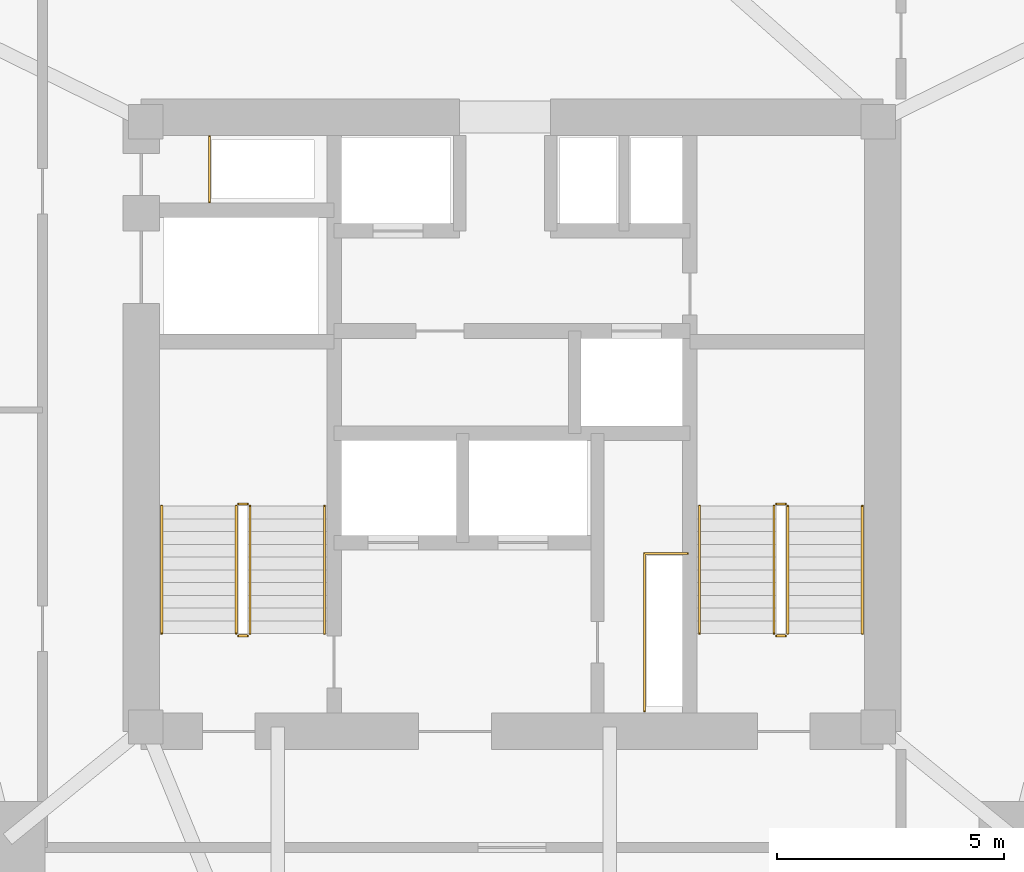
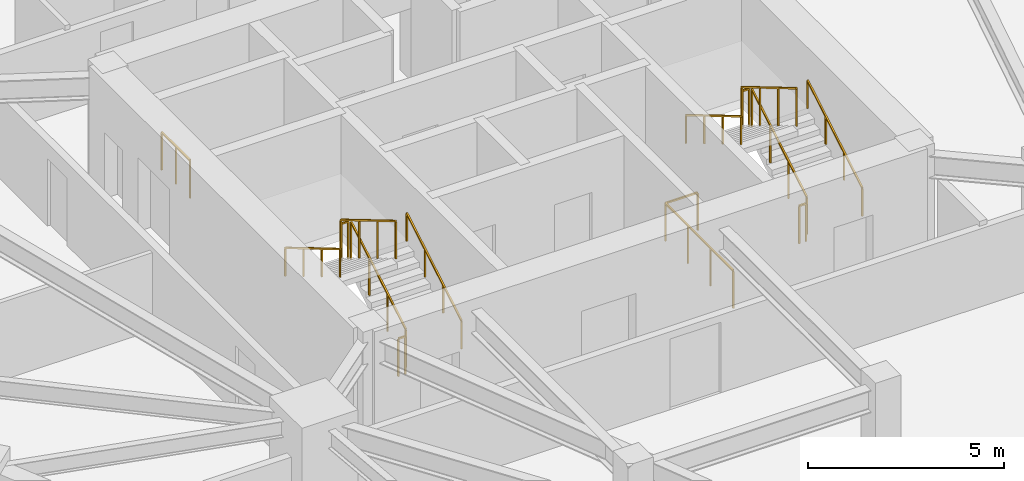
# One storey, part 14 of 14: 14 railings.
"""IFC4 building model written with IfcOpenShell, lengths in metres."""

import ifcopenshell
import ifcopenshell.guid

model = None  # the IFC model being written
_history = None  # IfcOwnerHistory: only IFC2X3 demands one
_inside = {}  # id of a spatial element -> (the spatial element, [elements in it])
_under = {}  # id of a project, library or spatial element -> (it, [spatial elements below it])
_declared = {}  # id of a project -> (the project, [libraries it declares])
_typed = {}  # id of a type object -> (the type object, [elements of that type])
_made_of = {}  # id of a material, layer set ... -> (it, [elements and type objects made of it])


def new_model(schema):
    """Start an empty IFC model of exactly this schema.

    Asked for "IFC4X3", IfcOpenShell would pick the latest addendum, in which some entities
    have other attributes; the version numbers below select the first issue.
    IFC2X3 requires an IfcOwnerHistory on every rooted entity: one is made here for all.
    """
    global model, _history
    if schema == "IFC4X3":
        model = ifcopenshell.file(schema_version=(4, 3, 0, 0))
    else:
        model = ifcopenshell.file(schema=schema)
    _inside.clear()
    _under.clear()
    _declared.clear()
    _typed.clear()
    _made_of.clear()
    _history = None
    if model.schema == "IFC2X3":
        org = make("IfcOrganization", Name="unknown")
        user = make(
            "IfcPersonAndOrganization",
            ThePerson=make("IfcPerson", FamilyName="unknown"),
            TheOrganization=org,
        )
        app = make(
            "IfcApplication",
            ApplicationDeveloper=org,
            Version="unknown",
            ApplicationFullName="unknown",
            ApplicationIdentifier="unknown",
        )
        _history = make(
            "IfcOwnerHistory",
            OwningUser=user,
            OwningApplication=app,
            ChangeAction="ADDED",
            CreationDate=0,
        )
    return model


def make(cls, **values):
    """One entity of the class cls with the attributes given. An attribute that is None is left unset."""
    return model.create_entity(
        cls, **{name: value for name, value in values.items() if value is not None}
    )


def rooted(cls, **values):
    """An entity with a GlobalId (a new one), such as an element, a storey or a relation."""
    return make(cls, GlobalId=ifcopenshell.guid.new(), OwnerHistory=_history, **values)


def si_unit(unit_type, name, prefix=None):
    """IfcSIUnit, for example si_unit("LENGTHUNIT", "METRE", prefix="MILLI")."""
    return make("IfcSIUnit", UnitType=unit_type, Prefix=prefix, Name=name)


def assignment(units):
    """IfcUnitAssignment: the units of a project."""
    return None if units is None else make("IfcUnitAssignment", Units=units)


def point(xyz):
    """IfcCartesianPoint."""
    return None if xyz is None else make("IfcCartesianPoint", Coordinates=xyz)


def direction(xyz):
    """IfcDirection."""
    return None if xyz is None else make("IfcDirection", DirectionRatios=xyz)


def frame(location, z_axis=None, x_axis=None):
    """IfcAxis2Placement3D, a coordinate frame: its origin and axes. An axis left out is left unset."""
    return make(
        "IfcAxis2Placement3D",
        Location=point(location),
        Axis=direction(z_axis),
        RefDirection=direction(x_axis),
    )


def frame_2d(location, x_axis=None):
    """IfcAxis2Placement2D, a coordinate frame in the plane: its origin and x axis."""
    return make(
        "IfcAxis2Placement2D", Location=point(location), RefDirection=direction(x_axis)
    )


def origin():
    """The frame at (0, 0, 0) with its axes left unset."""
    return frame((0.0, 0.0, 0.0))


def origin_2d():
    """The frame at (0, 0) in the plane with its x axis left unset."""
    return frame_2d((0.0, 0.0))


def place(relative_to, where):
    """IfcLocalPlacement: puts the frame where relative to a parent placement (None: the world)."""
    return make(
        "IfcLocalPlacement", PlacementRelTo=relative_to, RelativePlacement=where
    )


def context(
    kind, dimensions, precision=None, world=None, true_north=None, identifier=None
):
    """IfcGeometricRepresentationContext, for example the 3D "Model" context."""
    return make(
        "IfcGeometricRepresentationContext",
        ContextIdentifier=identifier,
        ContextType=kind,
        CoordinateSpaceDimension=dimensions,
        Precision=precision,
        WorldCoordinateSystem=world,
        TrueNorth=true_north,
    )


def subcontext(parent, identifier, kind, view, scale=None):
    """IfcGeometricRepresentationSubContext, for example "Body" below "Model"."""
    return make(
        "IfcGeometricRepresentationSubContext",
        ContextIdentifier=identifier,
        ContextType=kind,
        ParentContext=parent,
        TargetScale=scale,
        TargetView=view,
    )


def project(units=None, contexts=None):
    """IfcProject with its units and contexts."""
    return rooted(
        "IfcProject",
        Name="project",
        RepresentationContexts=contexts,
        UnitsInContext=assignment(units),
    )


def spatial(cls, under=None, at=None, **own):
    """A site, building, storey or space (cls), placed at a placement, below another one or the project."""
    s = rooted(cls, ObjectPlacement=at, **own)
    if under is not None:
        _under.setdefault(under.id(), (under, []))[1].append(s)
    return s


def profile(cls, at=None, kind="AREA", **sizes):
    """A parametric profile (cls). Its sizes go by their IFC names, for example OverallWidth=200.0."""
    return make(cls, ProfileType=kind, Position=at, **sizes)


def rectangle(**sizes):
    """IfcRectangleProfileDef."""
    return profile("IfcRectangleProfileDef", **sizes)


def extrude(swept, where, along, depth):
    """IfcExtrudedAreaSolid: the profile swept, set in the frame where, extruded along a direction by depth."""
    return make(
        "IfcExtrudedAreaSolid",
        SweptArea=swept,
        Position=where,
        ExtrudedDirection=direction(along),
        Depth=depth,
    )


def shape(context_of_items, identifier, shape_type, items):
    """IfcShapeRepresentation: the items that make up one representation, for example the "Body"."""
    return make(
        "IfcShapeRepresentation",
        ContextOfItems=context_of_items,
        RepresentationIdentifier=identifier,
        RepresentationType=shape_type,
        Items=items,
    )


def material(Name=None, Category=None):
    """IfcMaterial."""
    return make("IfcMaterial", Name=Name, Category=Category)


def made_of(thing, what):
    """Note that an element or type object is made of a material, layer set ...; save() writes the relation."""
    if what is not None:
        _made_of.setdefault(what.id(), (what, []))[1].append(thing)
    return thing


def type_object(cls, material=None, **own):
    """A type object (cls), such as IfcWallType, which elements share."""
    return made_of(rooted(cls, **own), material)


def element(
    cls,
    number,
    at=None,
    inside=None,
    cuts=None,
    type_object=None,
    material=None,
    context=None,
    identifier="Body",
    shape_type=None,
    held_by="IfcProductDefinitionShape",
    body=None,
    shapes=None,
    **own,
):
    """One element of the class cls, such as IfcWall. Its Tag is "e" and its number.

    at: its placement. inside: the storey or other place that contains it. cuts: it is an
    opening in that element (IfcRelVoidsElement). A single representation is given by context,
    identifier, shape_type and body (its items); several are given by shapes. held_by: the class
    of the entity that holds the representations. save() writes the other relations.
    """
    e = rooted(cls, Tag="e%d" % number, ObjectPlacement=at, **own)
    if body is not None:
        shapes = [shape(context, identifier, shape_type, body)]
    if shapes is not None:
        e.Representation = make(held_by, Representations=shapes)
    if inside is not None:
        _inside.setdefault(inside.id(), (inside, []))[1].append(e)
    if cuts is not None:
        rooted(
            "IfcRelVoidsElement", RelatingBuildingElement=cuts, RelatedOpeningElement=e
        )
    if type_object is not None:
        _typed.setdefault(type_object.id(), (type_object, []))[1].append(e)
    return made_of(e, material)


def aggregate(whole, parts):
    """IfcRelAggregates: a whole, such as a stair, and the parts it consists of."""
    return rooted("IfcRelAggregates", RelatingObject=whole, RelatedObjects=parts)


def save(model, path):
    """Write the relations noted so far, then the file.

    IfcRelAggregates (storeys below a building ...), IfcRelContainedInSpatialStructure (elements
    in a storey), IfcRelDefinesByType, IfcRelAssociatesMaterial and IfcRelDeclares: one each for
    every whole, place, type object, material and project.
    """
    for whole, parts in _under.values():
        aggregate(whole, parts)
    for where, things in _inside.values():
        rooted(
            "IfcRelContainedInSpatialStructure",
            RelatedElements=things,
            RelatingStructure=where,
        )
    for kind, things in _typed.values():
        rooted("IfcRelDefinesByType", RelatedObjects=things, RelatingType=kind)
    for what, things in _made_of.values():
        rooted("IfcRelAssociatesMaterial", RelatedObjects=things, RelatingMaterial=what)
    for by, libraries in _declared.values():
        rooted("IfcRelDeclares", RelatingContext=by, RelatedDefinitions=libraries)
    model.write(path)


model = new_model("IFC4")

# Units and contexts
model_context = context("Model", 3, precision=1e-05, world=origin(), true_north=direction((0.0, 1.0)))
body_context = subcontext(model_context, "Body", "Model", "MODEL_VIEW")
ifc_project = project(units=[si_unit("LENGTHUNIT", "METRE"), si_unit("AREAUNIT", "SQUARE_METRE"), si_unit("VOLUMEUNIT", "CUBIC_METRE"), si_unit("PLANEANGLEUNIT", "RADIAN"), si_unit("MASSUNIT", "GRAM", prefix="KILO")], contexts=[model_context])

# Site, building, storey
site_placement = place(None, origin())
site = spatial("IfcSite", under=ifc_project, at=site_placement, CompositionType="ELEMENT")
building_placement = place(site_placement, origin())
building = spatial("IfcBuilding", under=site, at=building_placement, Name="Talyreon Biosciences Tower", CompositionType="ELEMENT")
storey_placement = place(building_placement, frame((0.0, 0.0, 115.14990234375)))
storey = spatial("IfcBuildingStorey", under=building, at=storey_placement, Name="L30", CompositionType="ELEMENT", Elevation=115.14990234375)

# Railings
ifc_material_1 = material(Name="Brushed stainless-steel tubular handrail", Category="steel")
railing_type_1 = type_object("IfcRailingType", Name="StairWallHandrail_900", PredefinedType="HANDRAIL", material=ifc_material_1)
railing_1_placement = place(storey_placement, frame((61.8798828125, 63.39990234375, 0.166015625)))
element("IfcRailing", 1, at=railing_1_placement, inside=storey, type_object=railing_type_1, Name="L30 ST-1 stair handrail 1", PredefinedType="HANDRAIL", context=body_context, shape_type="SweptSolid", body=[
    extrude(rectangle(XDim=0.048095703125, YDim=0.048095703125, at=origin_2d()), frame((0.0, 0.0, 0.8759765625), z_axis=(0.0, 0.860306154799, 0.50977771628), x_axis=(-1.0, 0.0, 0.0)), (0.0, 0.0, 1.0), 3.254638671875),
    extrude(rectangle(XDim=0.0419921875, YDim=0.0419921875, at=origin_2d()), origin(), (0.0, 0.0, 1.0), 0.851806640625),
    extrude(rectangle(XDim=0.0419921875, YDim=0.0419921875, at=origin_2d()), frame((0.0, 0.933349609375, 0.552978515625)), (0.0, 0.0, 1.0), 0.851806640625),
    extrude(rectangle(XDim=0.0419921875, YDim=0.0419921875, at=origin_2d()), frame((0.0, 1.86669921875, 1.106201171875)), (0.0, 0.0, 1.0), 0.851806640625),
    extrude(rectangle(XDim=0.0419921875, YDim=0.0419921875, at=origin_2d()), frame((0.0, 2.800048828125, 1.6591796875)), (0.0, 0.0, 1.0), 0.851806640625),
])
railing_2_placement = place(storey_placement, frame((58.300048828125, 66.199951171875, 1.990966796875)))
element("IfcRailing", 2, at=railing_2_placement, inside=storey, type_object=railing_type_1, Name="L30 ST-1 stair handrail 2", PredefinedType="HANDRAIL", context=body_context, shape_type="SweptSolid", body=[
    extrude(rectangle(XDim=0.048095703125, YDim=0.048095703125, at=origin_2d()), frame((0.0, 0.0, 0.8759765625), z_axis=(0.0, -0.860306154799, 0.50977771628), x_axis=(1.0, 0.0, 0.0)), (0.0, 0.0, 1.0), 3.254638671875),
    extrude(rectangle(XDim=0.0419921875, YDim=0.0419921875, at=origin_2d()), origin(), (0.0, 0.0, 1.0), 0.851806640625),
    extrude(rectangle(XDim=0.0419921875, YDim=0.0419921875, at=origin_2d()), frame((0.0, -0.933349609375, 0.552978515625)), (0.0, 0.0, 1.0), 0.851806640625),
    extrude(rectangle(XDim=0.0419921875, YDim=0.0419921875, at=origin_2d()), frame((0.0, -1.86669921875, 1.106201171875)), (0.0, 0.0, 1.0), 0.851806640625),
    extrude(rectangle(XDim=0.0419921875, YDim=0.0419921875, at=origin_2d()), frame((0.0, -2.800048828125, 1.6591796875)), (0.0, 0.0, 1.0), 0.851806640625),
])
railing_3_placement = place(storey_placement, frame((73.699951171875, 63.39990234375, 0.166015625)))
element("IfcRailing", 3, at=railing_3_placement, inside=storey, type_object=railing_type_1, Name="L30 ST-2 stair handrail 1", PredefinedType="HANDRAIL", context=body_context, shape_type="SweptSolid", body=[
    extrude(rectangle(XDim=0.048095703125, YDim=0.048095703125, at=origin_2d()), frame((0.0, 0.0, 0.8759765625), z_axis=(0.0, 0.860306154799, 0.50977771628), x_axis=(-1.0, 0.0, 0.0)), (0.0, 0.0, 1.0), 3.254638671875),
    extrude(rectangle(XDim=0.0419921875, YDim=0.0419921875, at=origin_2d()), origin(), (0.0, 0.0, 1.0), 0.851806640625),
    extrude(rectangle(XDim=0.0419921875, YDim=0.0419921875, at=origin_2d()), frame((0.0, 0.933349609375, 0.552978515625)), (0.0, 0.0, 1.0), 0.851806640625),
    extrude(rectangle(XDim=0.0419921875, YDim=0.0419921875, at=origin_2d()), frame((0.0, 1.86669921875, 1.106201171875)), (0.0, 0.0, 1.0), 0.851806640625),
    extrude(rectangle(XDim=0.0419921875, YDim=0.0419921875, at=origin_2d()), frame((0.0, 2.800048828125, 1.6591796875)), (0.0, 0.0, 1.0), 0.851806640625),
])
railing_4_placement = place(storey_placement, frame((70.1201171875, 66.199951171875, 1.990966796875)))
element("IfcRailing", 4, at=railing_4_placement, inside=storey, type_object=railing_type_1, Name="L30 ST-2 stair handrail 2", PredefinedType="HANDRAIL", context=body_context, shape_type="SweptSolid", body=[
    extrude(rectangle(XDim=0.048095703125, YDim=0.048095703125, at=origin_2d()), frame((0.0, 0.0, 0.8759765625), z_axis=(0.0, -0.860306154799, 0.50977771628), x_axis=(1.0, 0.0, 0.0)), (0.0, 0.0, 1.0), 3.254638671875),
    extrude(rectangle(XDim=0.0419921875, YDim=0.0419921875, at=origin_2d()), origin(), (0.0, 0.0, 1.0), 0.851806640625),
    extrude(rectangle(XDim=0.0419921875, YDim=0.0419921875, at=origin_2d()), frame((0.0, -0.933349609375, 0.552978515625)), (0.0, 0.0, 1.0), 0.851806640625),
    extrude(rectangle(XDim=0.0419921875, YDim=0.0419921875, at=origin_2d()), frame((0.0, -1.86669921875, 1.106201171875)), (0.0, 0.0, 1.0), 0.851806640625),
    extrude(rectangle(XDim=0.0419921875, YDim=0.0419921875, at=origin_2d()), frame((0.0, -2.800048828125, 1.6591796875)), (0.0, 0.0, 1.0), 0.851806640625),
])
ifc_material_2 = material(Name="Painted galvanised steel post-and-rail balustrade", Category="steel")
railing_type_2 = type_object("IfcRailingType", Name="TerraceStairGuard_1200", PredefinedType="GUARDRAIL", material=ifc_material_2)
railing_5_placement = place(storey_placement, frame((60.239990234375, 63.39990234375, 0.166015625)))
element("IfcRailing", 5, at=railing_5_placement, inside=storey, type_object=railing_type_2, Name="L30 ST-1 stair guard 1", PredefinedType="GUARDRAIL", context=body_context, shape_type="SweptSolid", body=[
    extrude(rectangle(XDim=0.048095703125, YDim=0.048095703125, at=origin_2d()), frame((0.0, 0.0, 1.17578125), z_axis=(0.0, 0.860306154799, 0.50977771628), x_axis=(-1.0, 0.0, 0.0)), (0.0, 0.0, 1.0), 3.254638671875),
    extrude(rectangle(XDim=0.0419921875, YDim=0.0419921875, at=origin_2d()), origin(), (0.0, 0.0, 1.0), 1.15185546875),
    extrude(rectangle(XDim=0.0419921875, YDim=0.0419921875, at=origin_2d()), frame((0.0, 0.933349609375, 0.552978515625)), (0.0, 0.0, 1.0), 1.15185546875),
    extrude(rectangle(XDim=0.0419921875, YDim=0.0419921875, at=origin_2d()), frame((0.0, 1.86669921875, 1.106201171875)), (0.0, 0.0, 1.0), 1.15185546875),
    extrude(rectangle(XDim=0.0419921875, YDim=0.0419921875, at=origin_2d()), frame((0.0, 2.800048828125, 1.6591796875)), (0.0, 0.0, 1.0), 1.15185546875),
])
railing_6_placement = place(storey_placement, frame((60.18994140625, 66.25, 1.8251953125)))
element("IfcRailing", 6, at=railing_6_placement, inside=storey, type_object=railing_type_2, Name="L30 ST-1 stair guard 2", PredefinedType="GUARDRAIL", context=body_context, shape_type="SweptSolid", body=[
    extrude(rectangle(XDim=0.048095703125, YDim=0.048095703125, at=origin_2d()), frame((0.0, 0.0, 1.17578125), z_axis=(-1.0, 0.0, 0.0), x_axis=(0.0, -1.0, 0.0)), (0.0, 0.0, 1.0), 0.199951171875),
    extrude(rectangle(XDim=0.0419921875, YDim=0.0419921875, at=origin_2d()), origin(), (0.0, 0.0, 1.0), 1.15185546875),
    extrude(rectangle(XDim=0.0419921875, YDim=0.0419921875, at=origin_2d()), frame((-0.199951171875, 0.0, 0.0)), (0.0, 0.0, 1.0), 1.15185546875),
])
railing_7_placement = place(storey_placement, frame((59.93994140625, 66.199951171875, 1.990966796875)))
element("IfcRailing", 7, at=railing_7_placement, inside=storey, type_object=railing_type_2, Name="L30 ST-1 stair guard 3", PredefinedType="GUARDRAIL", context=body_context, shape_type="SweptSolid", body=[
    extrude(rectangle(XDim=0.048095703125, YDim=0.048095703125, at=origin_2d()), frame((0.0, 0.0, 1.17578125), z_axis=(0.0, -0.860306154799, 0.50977771628), x_axis=(1.0, 0.0, 0.0)), (0.0, 0.0, 1.0), 3.254638671875),
    extrude(rectangle(XDim=0.0419921875, YDim=0.0419921875, at=origin_2d()), origin(), (0.0, 0.0, 1.0), 1.15185546875),
    extrude(rectangle(XDim=0.0419921875, YDim=0.0419921875, at=origin_2d()), frame((0.0, -0.933349609375, 0.552978515625)), (0.0, 0.0, 1.0), 1.15185546875),
    extrude(rectangle(XDim=0.0419921875, YDim=0.0419921875, at=origin_2d()), frame((0.0, -1.86669921875, 1.106201171875)), (0.0, 0.0, 1.0), 1.15185546875),
    extrude(rectangle(XDim=0.0419921875, YDim=0.0419921875, at=origin_2d()), frame((0.0, -2.800048828125, 1.6591796875)), (0.0, 0.0, 1.0), 1.15185546875),
])
railing_8_placement = place(storey_placement, frame((60.18994140625, 63.35009765625, 0.0)))
element("IfcRailing", 8, at=railing_8_placement, inside=storey, type_object=railing_type_2, Name="L30 ST-1 stair guard 4", PredefinedType="GUARDRAIL", context=body_context, shape_type="SweptSolid", body=[
    extrude(rectangle(XDim=0.048095703125, YDim=0.048095703125, at=origin_2d()), frame((0.0, 0.0, 1.17578125), z_axis=(-1.0, 0.0, 0.0), x_axis=(0.0, -1.0, 0.0)), (0.0, 0.0, 1.0), 0.199951171875),
    extrude(rectangle(XDim=0.0419921875, YDim=0.0419921875, at=origin_2d()), origin(), (0.0, 0.0, 1.0), 1.15185546875),
    extrude(rectangle(XDim=0.0419921875, YDim=0.0419921875, at=origin_2d()), frame((-0.199951171875, 0.0, 0.0)), (0.0, 0.0, 1.0), 1.15185546875),
])
railing_9_placement = place(storey_placement, frame((72.06005859375, 63.39990234375, 0.166015625)))
element("IfcRailing", 9, at=railing_9_placement, inside=storey, type_object=railing_type_2, Name="L30 ST-2 stair guard 1", PredefinedType="GUARDRAIL", context=body_context, shape_type="SweptSolid", body=[
    extrude(rectangle(XDim=0.048095703125, YDim=0.048095703125, at=origin_2d()), frame((0.0, 0.0, 1.17578125), z_axis=(0.0, 0.860306154799, 0.50977771628), x_axis=(-1.0, 0.0, 0.0)), (0.0, 0.0, 1.0), 3.254638671875),
    extrude(rectangle(XDim=0.0419921875, YDim=0.0419921875, at=origin_2d()), origin(), (0.0, 0.0, 1.0), 1.15185546875),
    extrude(rectangle(XDim=0.0419921875, YDim=0.0419921875, at=origin_2d()), frame((0.0, 0.933349609375, 0.552978515625)), (0.0, 0.0, 1.0), 1.15185546875),
    extrude(rectangle(XDim=0.0419921875, YDim=0.0419921875, at=origin_2d()), frame((0.0, 1.86669921875, 1.106201171875)), (0.0, 0.0, 1.0), 1.15185546875),
    extrude(rectangle(XDim=0.0419921875, YDim=0.0419921875, at=origin_2d()), frame((0.0, 2.800048828125, 1.6591796875)), (0.0, 0.0, 1.0), 1.15185546875),
])
railing_10_placement = place(storey_placement, frame((72.010009765625, 66.25, 1.8251953125)))
element("IfcRailing", 10, at=railing_10_placement, inside=storey, type_object=railing_type_2, Name="L30 ST-2 stair guard 2", PredefinedType="GUARDRAIL", context=body_context, shape_type="SweptSolid", body=[
    extrude(rectangle(XDim=0.048095703125, YDim=0.048095703125, at=origin_2d()), frame((0.0, 0.0, 1.17578125), z_axis=(-1.0, 0.0, 0.0), x_axis=(0.0, -1.0, 0.0)), (0.0, 0.0, 1.0), 0.199951171875),
    extrude(rectangle(XDim=0.0419921875, YDim=0.0419921875, at=origin_2d()), origin(), (0.0, 0.0, 1.0), 1.15185546875),
    extrude(rectangle(XDim=0.0419921875, YDim=0.0419921875, at=origin_2d()), frame((-0.199951171875, 0.0, 0.0)), (0.0, 0.0, 1.0), 1.15185546875),
])
railing_11_placement = place(storey_placement, frame((71.760009765625, 66.199951171875, 1.990966796875)))
element("IfcRailing", 11, at=railing_11_placement, inside=storey, type_object=railing_type_2, Name="L30 ST-2 stair guard 3", PredefinedType="GUARDRAIL", context=body_context, shape_type="SweptSolid", body=[
    extrude(rectangle(XDim=0.048095703125, YDim=0.048095703125, at=origin_2d()), frame((0.0, 0.0, 1.17578125), z_axis=(0.0, -0.860306154799, 0.50977771628), x_axis=(1.0, 0.0, 0.0)), (0.0, 0.0, 1.0), 3.254638671875),
    extrude(rectangle(XDim=0.0419921875, YDim=0.0419921875, at=origin_2d()), origin(), (0.0, 0.0, 1.0), 1.15185546875),
    extrude(rectangle(XDim=0.0419921875, YDim=0.0419921875, at=origin_2d()), frame((0.0, -0.933349609375, 0.552978515625)), (0.0, 0.0, 1.0), 1.15185546875),
    extrude(rectangle(XDim=0.0419921875, YDim=0.0419921875, at=origin_2d()), frame((0.0, -1.86669921875, 1.106201171875)), (0.0, 0.0, 1.0), 1.15185546875),
    extrude(rectangle(XDim=0.0419921875, YDim=0.0419921875, at=origin_2d()), frame((0.0, -2.800048828125, 1.6591796875)), (0.0, 0.0, 1.0), 1.15185546875),
])
railing_12_placement = place(storey_placement, frame((72.010009765625, 63.35009765625, 0.0)))
element("IfcRailing", 12, at=railing_12_placement, inside=storey, type_object=railing_type_2, Name="L30 ST-2 stair guard 4", PredefinedType="GUARDRAIL", context=body_context, shape_type="SweptSolid", body=[
    extrude(rectangle(XDim=0.048095703125, YDim=0.048095703125, at=origin_2d()), frame((0.0, 0.0, 1.17578125), z_axis=(-1.0, 0.0, 0.0), x_axis=(0.0, -1.0, 0.0)), (0.0, 0.0, 1.0), 0.199951171875),
    extrude(rectangle(XDim=0.0419921875, YDim=0.0419921875, at=origin_2d()), origin(), (0.0, 0.0, 1.0), 1.15185546875),
    extrude(rectangle(XDim=0.0419921875, YDim=0.0419921875, at=origin_2d()), frame((-0.199951171875, 0.0, 0.0)), (0.0, 0.0, 1.0), 1.15185546875),
])
railing_13_placement = place(storey_placement, frame((59.35009765625, 72.8798828125, 0.0)))
element("IfcRailing", 13, at=railing_13_placement, inside=storey, type_object=railing_type_2, Name="L30 Exhaust Riser Maintenance Guardrail", PredefinedType="GUARDRAIL", context=body_context, shape_type="SweptSolid", body=[
    extrude(rectangle(XDim=0.048095703125, YDim=0.048095703125, at=origin_2d()), frame((0.0, 0.0, 1.17578125), z_axis=(0.0, 1.0, 0.0), x_axis=(-1.0, 0.0, 0.0)), (0.0, 0.0, 1.0), 1.4501953125),
    extrude(rectangle(XDim=0.0419921875, YDim=0.0419921875, at=origin_2d()), origin(), (0.0, 0.0, 1.0), 1.15185546875),
    extrude(rectangle(XDim=0.0419921875, YDim=0.0419921875, at=origin_2d()), frame((0.0, 0.72509765625, 0.0)), (0.0, 0.0, 1.0), 1.15185546875),
    extrude(rectangle(XDim=0.0419921875, YDim=0.0419921875, at=origin_2d()), frame((0.0, 1.4501953125, 0.0)), (0.0, 0.0, 1.0), 1.15185546875),
])
railing_14_placement = place(storey_placement, frame((68.909912109375, 61.699951171875, 0.0)))
element("IfcRailing", 14, at=railing_14_placement, inside=storey, type_object=railing_type_2, Name="L30 Electrical Riser Maintenance Guardrail", PredefinedType="GUARDRAIL", context=body_context, shape_type="SweptSolid", body=[
    extrude(rectangle(XDim=0.048095703125, YDim=0.048095703125, at=origin_2d()), frame((0.0, 0.0, 1.17578125), z_axis=(0.0, 1.0, 0.0), x_axis=(-1.0, 0.0, 0.0)), (0.0, 0.0, 1.0), 3.4599609375),
    extrude(rectangle(XDim=0.048095703125, YDim=0.048095703125, at=origin_2d()), frame((0.0, 3.4599609375, 1.17578125), z_axis=(1.0, 0.0, 0.0), x_axis=(0.0, 1.0, 0.0)), (0.0, 0.0, 1.0), 0.9501953125),
    extrude(rectangle(XDim=0.0419921875, YDim=0.0419921875, at=origin_2d()), origin(), (0.0, 0.0, 1.0), 1.15185546875),
    extrude(rectangle(XDim=0.0419921875, YDim=0.0419921875, at=origin_2d()), frame((0.0, 1.1533203125, 0.0)), (0.0, 0.0, 1.0), 1.15185546875),
    extrude(rectangle(XDim=0.0419921875, YDim=0.0419921875, at=origin_2d()), frame((0.0, 2.306640625, 0.0)), (0.0, 0.0, 1.0), 1.15185546875),
    extrude(rectangle(XDim=0.0419921875, YDim=0.0419921875, at=origin_2d()), frame((0.0, 3.4599609375, 0.0)), (0.0, 0.0, 1.0), 1.15185546875),
    extrude(rectangle(XDim=0.0419921875, YDim=0.0419921875, at=origin_2d()), frame((0.9501953125, 3.4599609375, 0.0)), (0.0, 0.0, 1.0), 1.15185546875),
])

save(model, "model.ifc")
